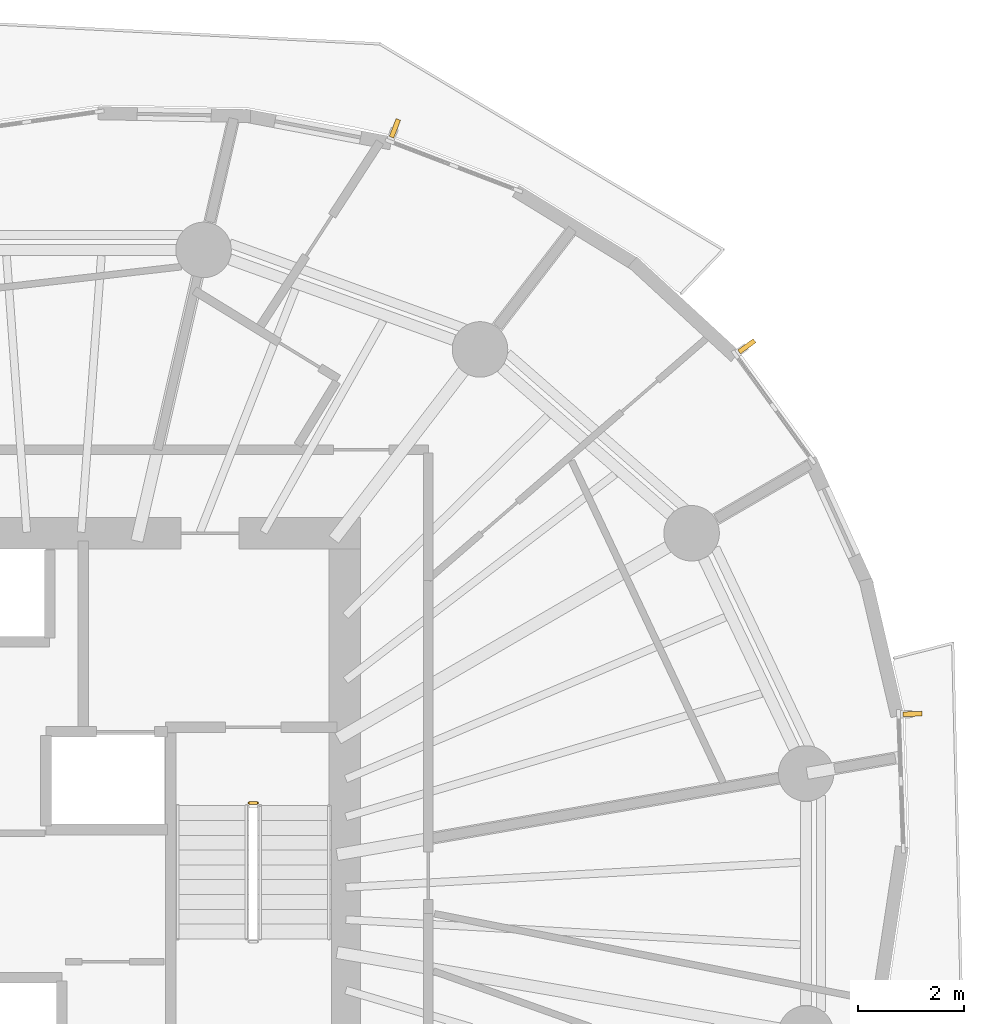
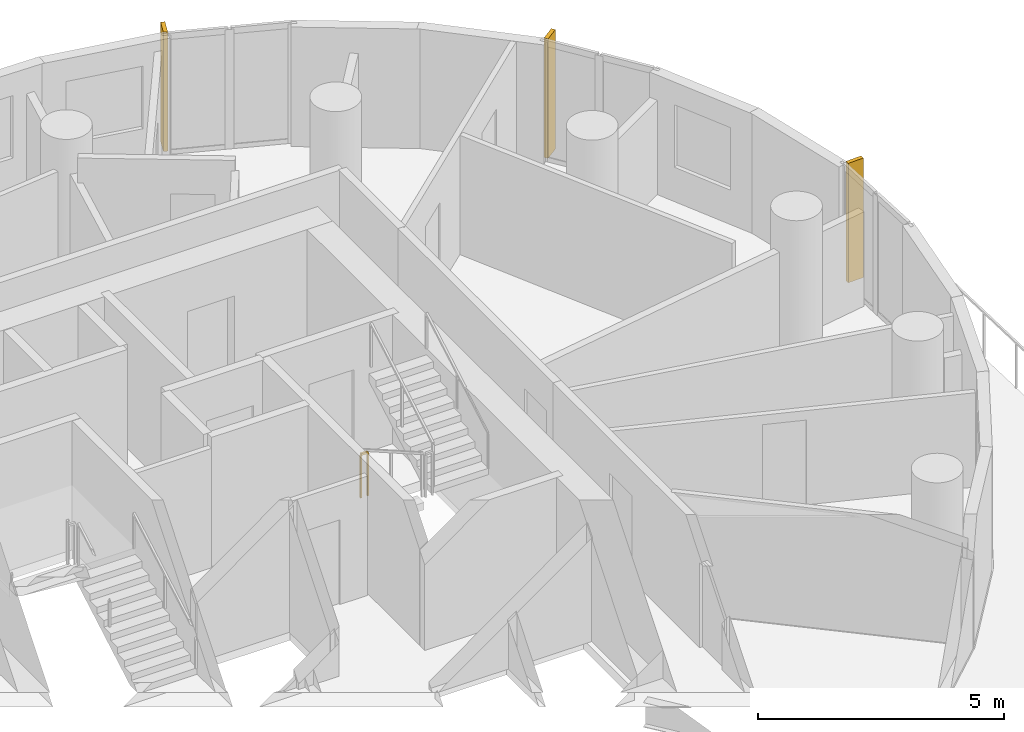
# One storey, part 14 of 14: 3 shading devices, 1 railing.
"""IFC4 building model written with IfcOpenShell, lengths in metres."""

from ifc_helpers import new_model, si_unit, direction, frame, origin, origin_2d, place, context, subcontext, project, spatial, rectangle, extrude, material, layer, layer_set, type_object, element, save


model = new_model("IFC4")

# Units and contexts
model_context = context("Model", 3, precision=1e-05, world=origin(), true_north=direction((0.0, 1.0)))
body_context = subcontext(model_context, "Body", "Model", "MODEL_VIEW")
ifc_project = project(units=[si_unit("LENGTHUNIT", "METRE"), si_unit("AREAUNIT", "SQUARE_METRE"), si_unit("VOLUMEUNIT", "CUBIC_METRE"), si_unit("PLANEANGLEUNIT", "RADIAN"), si_unit("MASSUNIT", "GRAM", prefix="KILO")], contexts=[model_context])

# Site, building, storey
site_placement = place(None, origin())
site = spatial("IfcSite", under=ifc_project, at=site_placement, CompositionType="ELEMENT")
building_placement = place(site_placement, origin())
building = spatial("IfcBuilding", under=site, at=building_placement, Name="Veldorim Arch Residences", CompositionType="ELEMENT")
storey_placement = place(building_placement, frame((0.0, 0.0, 126.56005859375)))
storey = spatial("IfcBuildingStorey", under=building, at=storey_placement, Name="L37", CompositionType="ELEMENT", Elevation=126.56005859375)

# Railing
ifc_material_1 = material(Name="Steel S355", Category="steel")
railing_type = type_object("IfcRailingType", Name="Galvanised Steel Stair Safety Guardrail 1100", PredefinedType="GUARDRAIL", material=ifc_material_1)
railing_placement = place(storey_placement, frame((35.68994140625, 25.89990234375, 0.0)))
element("IfcRailing", 1, at=railing_placement, inside=storey, type_object=railing_type, Name="L37 ST-2 stair guard 4", PredefinedType="GUARDRAIL", context=body_context, shape_type="SweptSolid", body=[
    extrude(rectangle(XDim=0.048095703125, YDim=0.048095703125, at=origin_2d()), frame((0.0, 0.0, 1.076171875), z_axis=(1.0, 0.0, 0.0), x_axis=(0.0, 1.0, 0.0)), (0.0, 0.0, 1.0), 0.16015625),
    extrude(rectangle(XDim=0.0419921875, YDim=0.0419921875, at=origin_2d()), origin(), (0.0, 0.0, 1.0), 1.052001953125),
    extrude(rectangle(XDim=0.0419921875, YDim=0.0419921875, at=origin_2d()), frame((0.16015625, 0.0, 0.0)), (0.0, 0.0, 1.0), 1.052001953125),
])

# Shading devices
ifc_material_2 = material(Name="Terracotta Ceramic", Category="masonry")
ifc_layer = layer(ifc_material_2, 0.090087890625, Name="Vertical Extruded Terracotta Baguette Sun-Shading Fin")
ifc_layer_set = layer_set([ifc_layer], Name="Terracotta Ceramic")
shading_device_type = type_object("IfcShadingDeviceType", Name="Vertical Extruded Terracotta Baguette Sun-Shading Fin", PredefinedType="USERDEFINED", material=ifc_layer_set)
for number, where, z_axis, x_axis, name in (
    (2, (45.1005859375, 34.535400390625, 0.0), (0.0, 0.0, 1.0), (0.587644043238, -0.809119569932, 0.0), "L37 vertical terracotta sun-shading fin 01"),
    (3, (38.447021484375, 38.656982421875, 0.0), (0.0, 0.0, 1.0), (0.934079892355, -0.357064076459, 0.0), "L37 vertical terracotta sun-shading fin 04"),
    (4, (48.234619140625, 27.583984375, 0.0), (0.0, 0.0, 1.0), (0.035422771708, -0.999372416692, 0.0), "L37 vertical terracotta sun-shading fin 34"),
):
    element("IfcShadingDevice", number, at=place(storey_placement, frame(where, z_axis=z_axis, x_axis=x_axis)), inside=storey, type_object=shading_device_type, Name=name, ObjectType="FIN", PredefinedType="USERDEFINED", context=body_context, shape_type="SweptSolid", body=[
        extrude(rectangle(XDim=0.090087890625, YDim=0.360107421875, at=origin_2d()), origin(), (0.0, 0.0, 1.0), 2.9599609375),
    ])

save(model, "model.ifc")
